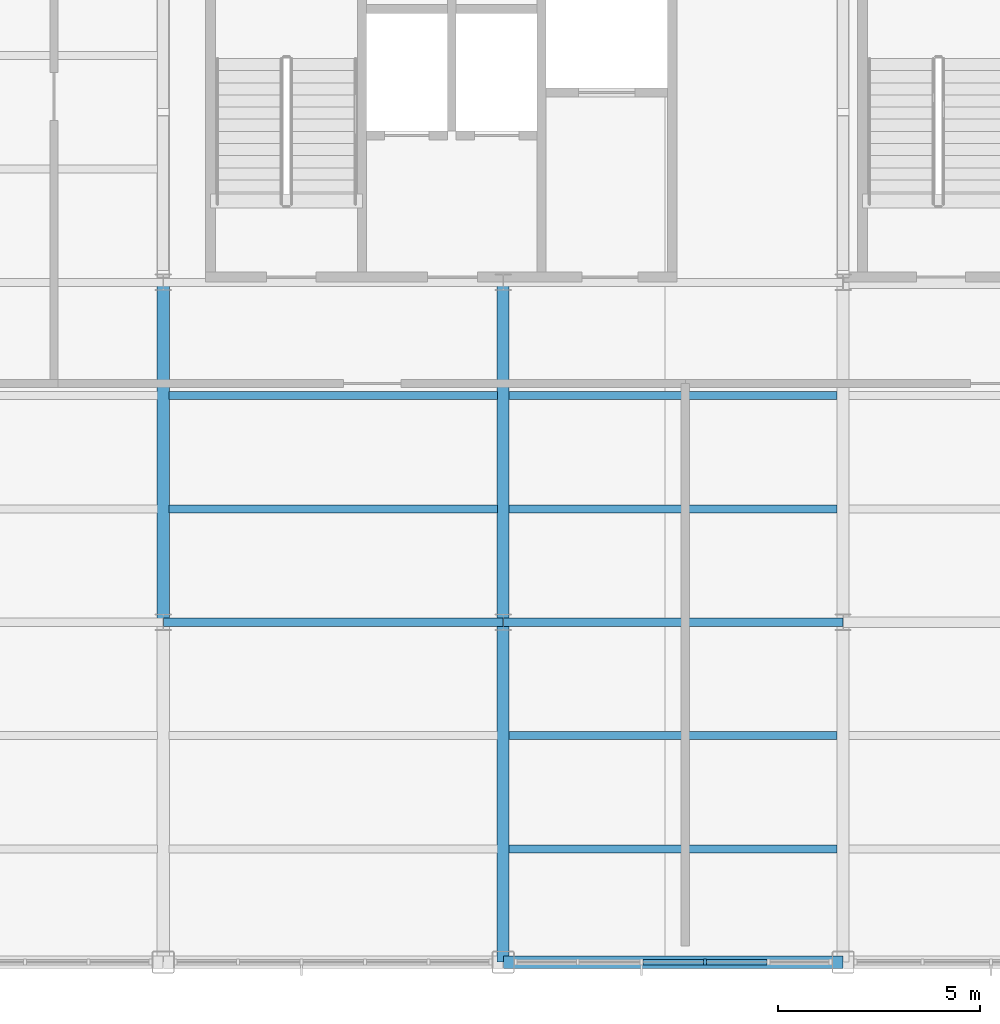
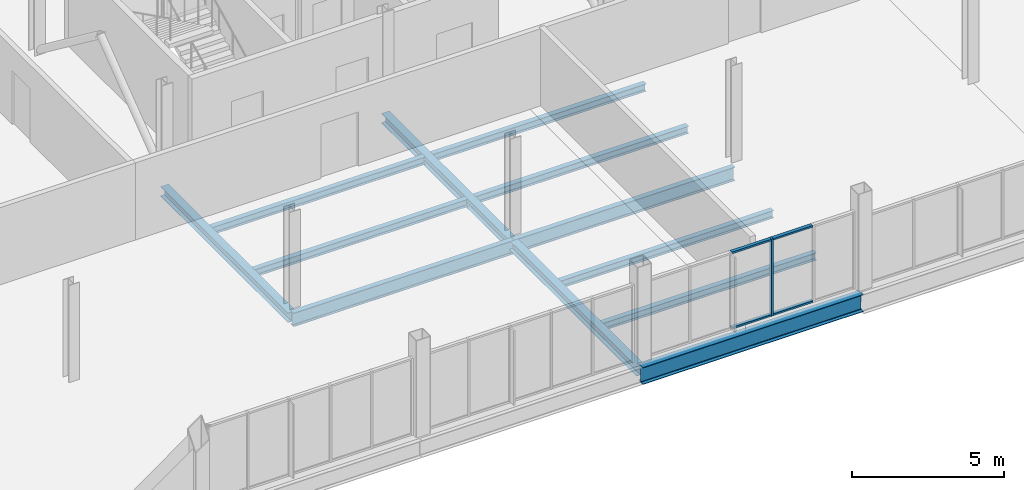
# One storey, part 5 of 17: 12 beams, 5 members, 1 element without a shape of its own.
"""IFC4 building model written with IfcOpenShell, lengths in metres."""

from ifc_helpers import new_model, si_unit, direction, frame, origin, origin_2d, place, context, subcontext, project, spatial, rectangle, i_section, extrude, material, layer, layer_set, material_profile, profile_set, type_object, element, aggregate, save


model = new_model("IFC4")

# Units and contexts
model_context = context("Model", 3, precision=1e-05, world=origin(), true_north=direction((0.0, 1.0)))
body_context = subcontext(model_context, "Body", "Model", "MODEL_VIEW")
ifc_project = project(units=[si_unit("LENGTHUNIT", "METRE"), si_unit("AREAUNIT", "SQUARE_METRE"), si_unit("VOLUMEUNIT", "CUBIC_METRE"), si_unit("PLANEANGLEUNIT", "RADIAN"), si_unit("MASSUNIT", "GRAM", prefix="KILO")], contexts=[model_context])

# Site, building, storey
site_placement = place(None, origin())
site = spatial("IfcSite", under=ifc_project, at=site_placement, CompositionType="ELEMENT")
building_placement = place(site_placement, origin())
building = spatial("IfcBuilding", under=site, at=building_placement, Name="Yukiwa Park Conservatory and Herbarium", CompositionType="ELEMENT")
storey_placement = place(building_placement, frame((0.0, 0.0, 17.10009765625)))
storey = spatial("IfcBuildingStorey", under=building, at=storey_placement, Name="L04", CompositionType="ELEMENT", Elevation=17.10009765625)

# Beams
ifc_material_1 = material(Name="Steel Q355D", Category="steel")
ifc_material_profile_1 = material_profile(ifc_material_1, i_section(OverallWidth=0.300048828125, OverallDepth=0.389892578125, WebThickness=0.010009765625, FlangeThickness=0.01611328125, FilletRadius=0.02001953125, at=origin_2d()), Name="HM 390x300x10x16")
ifc_profile_set_1 = profile_set([ifc_material_profile_1], Name="Steel Q355D")
beam_type_1 = type_object("IfcBeamType", Name="BM-GRD-HM390", PredefinedType="BEAM", material=ifc_profile_set_1)
for number, where, z_axis, x_axis, name in (
    (1, (133.199951171875, 86.406005859375, -0.47509765625), (0.0, 1.0, 0.0), (-1.0, 0.0, 0.0), "L04 grid girder Y-40"),
    (2, (141.60009765625, 78.006103515625, -0.47509765625), (0.0, 1.0, 0.0), (-1.0, 0.0, 0.0), "L04 grid girder Y-43"),
    (3, (141.60009765625, 86.406005859375, -0.47509765625), (0.0, 1.0, 0.0), (-1.0, 0.0, 0.0), "L04 grid girder Y-44"),
):
    element("IfcBeam", number, at=place(storey_placement, frame(where, z_axis=z_axis, x_axis=x_axis)), inside=storey, type_object=beam_type_1, Name=name, PredefinedType="BEAM", context=body_context, shape_type="SweptSolid", body=[
        extrude(i_section(OverallWidth=0.300048828125, OverallDepth=0.389892578125, WebThickness=0.010009765625, FlangeThickness=0.01611328125, FilletRadius=0.02001953125, at=origin_2d()), origin(), (0.0, 0.0, 1.0), 8.387939453125),
    ])
ifc_material_2 = material(Name="Steel Q355D", Category="steel")
ifc_material_profile_2 = material_profile(ifc_material_2, i_section(OverallWidth=0.199951171875, OverallDepth=0.550048828125, WebThickness=0.010009765625, FlangeThickness=0.01611328125, FilletRadius=0.02001953125, at=origin_2d()), Name="HN 550x200x10x16")
ifc_profile_set_2 = profile_set([ifc_material_profile_2], Name="Steel Q355D")
beam_type_2 = type_object("IfcBeamType", Name="BM-GRD-HN550", PredefinedType="BEAM", material=ifc_profile_set_2)
for number, where, z_axis, x_axis, name in (
    (4, (133.2060546875, 86.39990234375, -0.55517578125), (1.0, 0.0, 0.0), (0.0, 1.0, 0.0), "L04 grid beam X-9"),
    (5, (141.60595703125, 86.39990234375, -0.55517578125), (1.0, 0.0, 0.0), (0.0, 1.0, 0.0), "L04 grid beam X-10"),
):
    element("IfcBeam", number, at=place(storey_placement, frame(where, z_axis=z_axis, x_axis=x_axis)), inside=storey, type_object=beam_type_2, Name=name, PredefinedType="BEAM", context=body_context, shape_type="SweptSolid", body=[
        extrude(i_section(OverallWidth=0.199951171875, OverallDepth=0.550048828125, WebThickness=0.010009765625, FlangeThickness=0.01611328125, FilletRadius=0.02001953125, at=origin_2d()), origin(), (0.0, 0.0, 1.0), 8.387939453125),
    ])
ifc_material_3 = material(Name="Steel Q355D", Category="steel")
ifc_material_profile_3 = material_profile(ifc_material_3, i_section(OverallWidth=0.199951171875, OverallDepth=0.300048828125, WebThickness=0.008056640625, FlangeThickness=0.011962890625, FilletRadius=0.01806640625, at=origin_2d()), Name="HM 300x200x8x12")
ifc_profile_set_3 = profile_set([ifc_material_profile_3], Name="Steel Q355D")
beam_type_3 = type_object("IfcBeamType", Name="BM-JST-HM300", PredefinedType="JOIST", material=ifc_profile_set_3)
for number, where, z_axis, x_axis, name in (
    (6, (133.345947265625, 89.199951171875, -0.43017578125), (1.0, 0.0, 0.0), (0.0, 1.0, 0.0), "L04 composite floor joist 19"),
    (7, (133.345947265625, 92.0, -0.43017578125), (1.0, 0.0, 0.0), (0.0, 1.0, 0.0), "L04 composite floor joist 20"),
):
    element("IfcBeam", number, at=place(storey_placement, frame(where, z_axis=z_axis, x_axis=x_axis)), inside=storey, type_object=beam_type_3, Name=name, PredefinedType="JOIST", context=body_context, shape_type="SweptSolid", body=[
        extrude(i_section(OverallWidth=0.199951171875, OverallDepth=0.300048828125, WebThickness=0.008056640625, FlangeThickness=0.011962890625, FilletRadius=0.01806640625, at=origin_2d()), origin(), (0.0, 0.0, 1.0), 8.108154296875),
    ])
for number, where, z_axis, x_axis, name in (
    (8, (141.74609375, 80.800048828125, -0.43017578125), (1.0, 0.0, 0.0), (0.0, 1.0, 0.0), "L04 composite floor joist 23"),
    (9, (141.74609375, 83.60009765625, -0.43017578125), (1.0, 0.0, 0.0), (0.0, 1.0, 0.0), "L04 composite floor joist 24"),
    (10, (141.74609375, 89.199951171875, -0.43017578125), (1.0, 0.0, 0.0), (0.0, 1.0, 0.0), "L04 composite floor joist 25"),
    (11, (141.74609375, 92.0, -0.43017578125), (1.0, 0.0, 0.0), (0.0, 1.0, 0.0), "L04 composite floor joist 26"),
):
    element("IfcBeam", number, at=place(storey_placement, frame(where, z_axis=z_axis, x_axis=x_axis)), inside=storey, type_object=beam_type_3, Name=name, PredefinedType="JOIST", context=body_context, shape_type="SweptSolid", body=[
        extrude(i_section(OverallWidth=0.199951171875, OverallDepth=0.300048828125, WebThickness=0.008056640625, FlangeThickness=0.011962890625, FilletRadius=0.01806640625, at=origin_2d()), origin(), (0.0, 0.0, 1.0), 8.10791015625),
    ])
ifc_material_4 = material(Name="Steel Q355D", Category="steel")
ifc_material_profile_4 = material_profile(ifc_material_4, i_section(OverallWidth=0.300048828125, OverallDepth=0.69189453125, WebThickness=0.012939453125, FlangeThickness=0.02001953125, FilletRadius=0.028076171875, at=origin_2d()), Name="HN 692x300x13x20")
ifc_profile_set_4 = profile_set([ifc_material_profile_4], Name="Steel Q355D")
beam_type_4 = type_object("IfcBeamType", Name="BM-SPN-HN550", PredefinedType="SPANDREL", material=ifc_profile_set_4)
beam_placement = place(storey_placement, frame((141.60595703125, 78.0, -0.6259765625), z_axis=(1.0, 0.0, 0.0), x_axis=(0.0, 1.0, 0.0)))
element("IfcBeam", 12, at=beam_placement, inside=storey, type_object=beam_type_4, Name="L04 spandrel beam X-4", PredefinedType="SPANDREL", context=body_context, shape_type="SweptSolid", body=[
    extrude(i_section(OverallWidth=0.300048828125, OverallDepth=0.69189453125, WebThickness=0.012939453125, FlangeThickness=0.02001953125, FilletRadius=0.028076171875, at=origin_2d()), origin(), (0.0, 0.0, 1.0), 8.387939453125),
])

# Curtain wall, members
ifc_material_5 = material(Name="Triple Low-E Insulated Glass", Category="glass")
ifc_layer = layer(ifc_material_5, 0.199951171875)
ifc_layer_set = layer_set([ifc_layer], Name="Triple Low-E Insulated Glass")
curtain_wall_type = type_object("IfcCurtainWallType", Name="CW-VISITOR-1600", PredefinedType="NOTDEFINED", material=ifc_layer_set)
curtain_wall_placement = place(storey_placement, origin())
curtain_wall = element("IfcCurtainWall", 13, at=curtain_wall_placement, inside=storey, type_object=curtain_wall_type, Name="L04 unitised curtain wall CW-L04-074", PredefinedType="NOTDEFINED")
ifc_material_6 = material(Name="Anodised Aluminium", Category="aluminium")
member_type_1 = type_object("IfcMemberType", Name="MB-CW-MUL-70X150", PredefinedType="MULLION", material=ifc_material_6)
member_1_placement = place(storey_placement, frame((146.5849609375, 78.0, -0.000244140625), z_axis=(0.0, 0.0, 1.0), x_axis=(1.0, 0.0, 0.0)))
member_1 = element("IfcMember", 14, at=member_1_placement, type_object=member_type_1, Name="CW-L04-074 mullion 4", PredefinedType="MULLION", context=body_context, shape_type="SweptSolid", body=[
    extrude(rectangle(XDim=0.070068359375, YDim=0.14990234375, at=origin_2d()), origin(), (0.0, 0.0, 1.0), 3.10009765625),
])
ifc_material_7 = material(Name="Anodised Aluminium", Category="aluminium")
member_type_2 = type_object("IfcMemberType", Name="MB-CW-TRN-70X130", PredefinedType="USERDEFINED", material=ifc_material_7)
member_2_placement = place(storey_placement, frame((145.800048828125, 78.0, 0.0), z_axis=(0.0, 0.0, 1.0), x_axis=(1.0, 0.0, 0.0)))
member_2 = element("IfcMember", 15, at=member_2_placement, type_object=member_type_2, Name="CW-L04-074 transom 3.1", ObjectType="TRANSOM", PredefinedType="USERDEFINED", context=body_context, shape_type="SweptSolid", body=[
    extrude(rectangle(XDim=1.5, YDim=0.1298828125, at=origin_2d()), origin(), (0.0, 0.0, 1.0), 0.070068359375),
])
member_3_placement = place(storey_placement, frame((145.800048828125, 78.0, 3.02978515625), z_axis=(0.0, 0.0, 1.0), x_axis=(1.0, 0.0, 0.0)))
member_3 = element("IfcMember", 16, at=member_3_placement, type_object=member_type_2, Name="CW-L04-074 transom 3.2", ObjectType="TRANSOM", PredefinedType="USERDEFINED", context=body_context, shape_type="SweptSolid", body=[
    extrude(rectangle(XDim=1.5, YDim=0.1298828125, at=origin_2d()), origin(), (0.0, 0.0, 1.0), 0.070068359375),
])
member_4_placement = place(storey_placement, frame((147.3701171875, 78.0, 0.0), z_axis=(0.0, 0.0, 1.0), x_axis=(1.0, 0.0, 0.0)))
member_4 = element("IfcMember", 17, at=member_4_placement, type_object=member_type_2, Name="CW-L04-074 transom 4.1", ObjectType="TRANSOM", PredefinedType="USERDEFINED", context=body_context, shape_type="SweptSolid", body=[
    extrude(rectangle(XDim=1.5, YDim=0.1298828125, at=origin_2d()), origin(), (0.0, 0.0, 1.0), 0.070068359375),
])
member_5_placement = place(storey_placement, frame((147.3701171875, 78.0, 3.02978515625), z_axis=(0.0, 0.0, 1.0), x_axis=(1.0, 0.0, 0.0)))
member_5 = element("IfcMember", 18, at=member_5_placement, type_object=member_type_2, Name="CW-L04-074 transom 4.2", ObjectType="TRANSOM", PredefinedType="USERDEFINED", context=body_context, shape_type="SweptSolid", body=[
    extrude(rectangle(XDim=1.5, YDim=0.1298828125, at=origin_2d()), origin(), (0.0, 0.0, 1.0), 0.070068359375),
])
aggregate(curtain_wall, [member_1, member_2, member_3, member_4, member_5])

save(model, "model.ifc")
